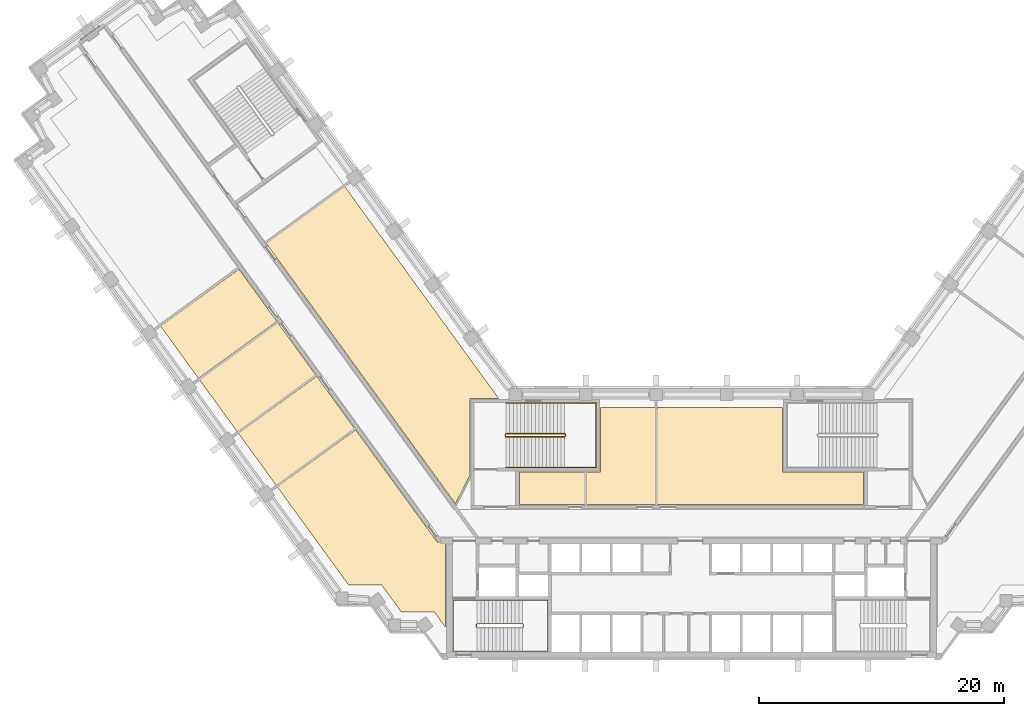
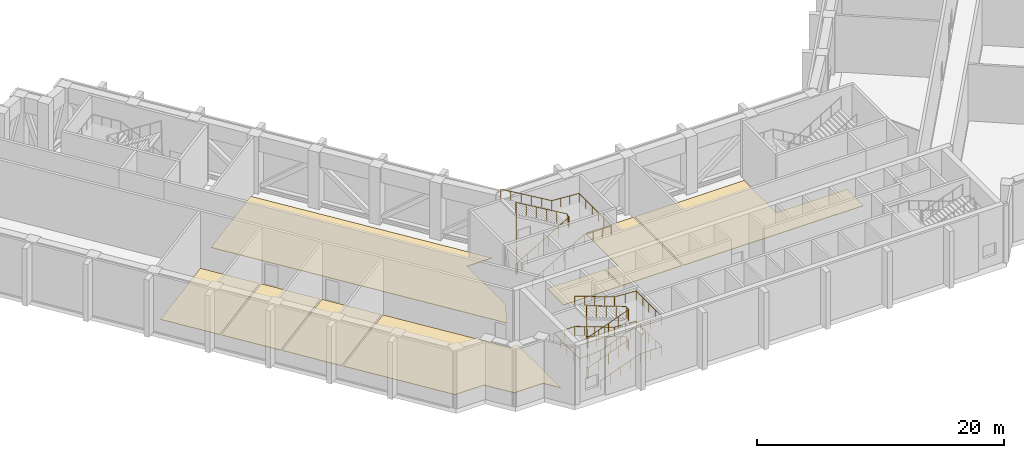
# One storey, part 17 of 19: 8 coverings, 4 railings.
"""IFC4 building model written with IfcOpenShell, lengths in metres."""

from ifc_helpers import new_model, si_unit, direction, frame, origin, origin_2d, place, context, subcontext, project, spatial, polyline, circle, outline, extrude, material, layer, layer_set, type_object, element, save


model = new_model("IFC4")

# Units and contexts
model_context = context("Model", 3, precision=1e-05, world=origin(), true_north=direction((0.0, 1.0)))
body_context = subcontext(model_context, "Body", "Model", "MODEL_VIEW")
ifc_project = project(units=[si_unit("LENGTHUNIT", "METRE"), si_unit("AREAUNIT", "SQUARE_METRE"), si_unit("VOLUMEUNIT", "CUBIC_METRE"), si_unit("PLANEANGLEUNIT", "RADIAN"), si_unit("MASSUNIT", "GRAM", prefix="KILO")], contexts=[model_context])

# Site, building, storey
site_placement = place(None, origin())
site = spatial("IfcSite", under=ifc_project, at=site_placement, CompositionType="ELEMENT")
building_placement = place(site_placement, origin())
building = spatial("IfcBuilding", under=site, at=building_placement, Name="Quipu Civic Tower", CompositionType="ELEMENT")
storey_placement = place(building_placement, frame((0.0, 0.0, 25.0)))
storey = spatial("IfcBuildingStorey", under=building, at=storey_placement, Name="L05", CompositionType="ELEMENT", Elevation=25.0)

# Coverings
ifc_material_1 = material(Name="Sealed cement screed")
ifc_layer = layer(ifc_material_1, 0.050048828125)
ifc_layer_set = layer_set([ifc_layer], Name="Sealed cement screed")
covering_type = type_object("IfcCoveringType", Name="Sealed screed floor finish 50", PredefinedType="FLOORING", material=ifc_layer_set)
covering_1_placement = place(storey_placement, origin())
element("IfcCovering", 1, at=covering_1_placement, inside=storey, type_object=covering_type, Name="Sealed screed floor finish 50", PredefinedType="FLOORING", context=body_context, shape_type="SweptSolid", body=[
    extrude(outline(polyline([(-34.719970703125, 22.845947265625), (-28.320068359375, 27.4951171875), (-15.73193359375, 10.169921875), (-18.070068359375, 10.1689453125), (-18.070068359375, 3.94189453125), (-19.27197265625, 1.583984375), (-34.719970703125, 22.845947265625)])), origin(), (0.0, 0.0, 1.0), 0.050048828125),
])
covering_2_placement = place(storey_placement, origin())
element("IfcCovering", 2, at=covering_2_placement, inside=storey, type_object=covering_type, Name="Sealed screed floor finish 50", PredefinedType="FLOORING", context=body_context, shape_type="SweptSolid", body=[
    extrude(outline(polyline([(-8.56689453125, 1.52001953125), (-8.56689453125, 4.179931640625), (-7.429931640625, 4.181884765625), (-7.429931640625, 9.429931640625), (-2.948974609375, 9.429931640625), (-2.948974609375, 1.52001953125), (-8.56689453125, 1.52001953125)])), origin(), (0.0, 0.0, 1.0), 0.050048828125),
])
covering_3_placement = place(storey_placement, origin())
element("IfcCovering", 3, at=covering_3_placement, inside=storey, type_object=covering_type, Name="Sealed screed floor finish 50", PredefinedType="FLOORING", context=body_context, shape_type="SweptSolid", body=[
    extrude(outline(polyline([(-40.1630859375, 11.7099609375), (-33.763916015625, 16.35888671875), (-30.673095703125, 12.10302734375), (-37.072021484375, 7.4541015625), (-40.1630859375, 11.7099609375)])), origin(), (0.0, 0.0, 1.0), 0.050048828125),
])
covering_4_placement = place(storey_placement, origin())
element("IfcCovering", 4, at=covering_4_placement, inside=storey, type_object=covering_type, Name="Sealed screed floor finish 50", PredefinedType="FLOORING", context=body_context, shape_type="SweptSolid", body=[
    extrude(outline(polyline([(-2.80908203125, 1.52001953125), (-2.80908203125, 9.429931640625), (7.429931640625, 9.429931640625), (7.430908203125, 4.179931640625), (14.030029296875, 4.179931640625), (14.030029296875, 1.52001953125), (-2.80908203125, 1.52001953125)])), origin(), (0.0, 0.0, 1.0), 0.050048828125),
])
covering_5_placement = place(storey_placement, origin())
element("IfcCovering", 5, at=covering_5_placement, inside=storey, type_object=covering_type, Name="Sealed screed floor finish 50", PredefinedType="FLOORING", context=body_context, shape_type="SweptSolid", body=[
    extrude(outline(polyline([(-36.989013671875, 7.341064453125), (-30.590087890625, 11.989990234375), (-27.4990234375, 7.73388671875), (-33.89794921875, 3.0859375), (-36.989013671875, 7.341064453125)])), origin(), (0.0, 0.0, 1.0), 0.050048828125),
])
covering_6_placement = place(storey_placement, origin())
element("IfcCovering", 6, at=covering_6_placement, inside=storey, type_object=covering_type, Name="Sealed screed floor finish 50", PredefinedType="FLOORING", context=body_context, shape_type="SweptSolid", body=[
    extrude(outline(polyline([(-14.030029296875, 1.52001953125), (-14.030029296875, 4.179931640625), (-8.70703125, 4.179931640625), (-8.70703125, 1.52001953125), (-14.030029296875, 1.52001953125)])), origin(), (0.0, 0.0, 1.0), 0.050048828125),
])
covering_7_placement = place(storey_placement, origin())
element("IfcCovering", 7, at=covering_7_placement, inside=storey, type_object=covering_type, Name="Sealed screed floor finish 50", PredefinedType="FLOORING", context=body_context, shape_type="SweptSolid", body=[
    extrude(outline(polyline([(-43.337890625, 16.0791015625), (-36.93798828125, 20.72802734375), (-33.846923828125, 16.471923828125), (-40.24609375, 11.822998046875), (-43.337890625, 16.0791015625)])), origin(), (0.0, 0.0, 1.0), 0.050048828125),
])
covering_8_placement = place(storey_placement, origin())
element("IfcCovering", 8, at=covering_8_placement, inside=storey, type_object=covering_type, Name="Sealed screed floor finish 50", PredefinedType="FLOORING", context=body_context, shape_type="SweptSolid", body=[
    extrude(outline(polyline([(-33.81494140625, 2.972900390625), (-27.416015625, 7.62109375), (-20.77490234375, -1.51904296875), (-20.070068359375, -1.52001953125), (-20.070068359375, -8.514892578125), (-20.991943359375, -7.24609375), (-23.69189453125, -7.24609375), (-25.279052734375, -5.06103515625), (-27.97900390625, -5.06103515625), (-33.81494140625, 2.972900390625)])), origin(), (0.0, 0.0, 1.0), 0.050048828125),
])

# Railings
ifc_material_2 = material(Name="Stainless steel", Category="steel")
railing_type_1 = type_object("IfcRailingType", Name="Stair guard 1100", PredefinedType="GUARDRAIL", material=ifc_material_2)
railing_1_placement = place(storey_placement, frame((-17.5, -8.550048828125, 0.115478515625)))
element("IfcRailing", 9, at=railing_1_placement, inside=storey, type_object=railing_type_1, Name="Stair 1 guard", PredefinedType="GUARDRAIL", context=body_context, shape_type="SweptSolid", body=[
    extrude(circle(Radius=0.02392578125, at=origin_2d()), frame((0.0, 0.0, 1.076171875), z_axis=(0.937193329374, 0.0, 0.348810354458), x_axis=(0.0, 1.0, 0.0)), (0.0, 0.0, 1.0), 3.96923828125),
    extrude(circle(Radius=0.02392578125, at=origin_2d()), frame((3.719970703125, 0.0, 2.46044921875), z_axis=(0.707106781187, 0.707106781187, 0.0), x_axis=(-0.707106781187, 0.707106781187, 0.0)), (0.0, 0.0, 1.0), 0.07080078125),
    extrude(circle(Radius=0.02392578125, at=origin_2d()), frame((3.77001953125, 0.050048828125, 2.46044921875), z_axis=(0.0, 1.0, 0.0), x_axis=(-1.0, 0.0, 0.0)), (0.0, 0.0, 1.0), 0.25),
    extrude(circle(Radius=0.02392578125, at=origin_2d()), frame((3.77001953125, 0.300048828125, 2.46044921875), z_axis=(-0.3695169537, 0.3695169537, 0.852592776099), x_axis=(-0.707106781187, -0.707106781187, 0.0)), (0.0, 0.0, 1.0), 0.135498046875),
    extrude(circle(Radius=0.02392578125, at=origin_2d()), frame((3.719970703125, 0.35009765625, 2.576171875), z_axis=(-0.937193329374, 0.0, 0.348810354458), x_axis=(0.0, -1.0, 0.0)), (0.0, 0.0, 1.0), 3.96923828125),
    extrude(circle(Radius=0.02392578125, at=origin_2d()), frame((0.0, 0.35009765625, 3.96044921875), z_axis=(-0.164529134168, -0.986372223864, 0.0), x_axis=(0.986372223864, -0.164529134168, 0.0)), (0.0, 0.0, 1.0), 0.30419921875),
    extrude(circle(Radius=0.02392578125, at=origin_2d()), frame((-0.050048828125, 0.050048828125, 3.96044921875), z_axis=(0.0, 1.0, 0.0), x_axis=(-1.0, 0.0, 0.0)), (0.0, 0.0, 1.0), 0.25),
    extrude(circle(Radius=0.02392578125, at=origin_2d()), frame((-0.050048828125, 0.300048828125, 3.96044921875), z_axis=(0.153818488509, -0.922160596963, 0.354908024706), x_axis=(0.986372223864, 0.164529134168, 0.0)), (0.0, 0.0, 1.0), 0.325439453125),
    extrude(circle(Radius=0.02392578125, at=origin_2d()), frame((0.0, 0.0, 4.076171875), z_axis=(0.937193329374, 0.0, 0.348810354458), x_axis=(0.0, 1.0, 0.0)), (0.0, 0.0, 1.0), 3.96923828125),
    extrude(circle(Radius=0.02392578125, at=origin_2d()), frame((3.719970703125, 0.0, 5.46044921875), z_axis=(0.707106781187, 0.707106781187, 0.0), x_axis=(-0.707106781187, 0.707106781187, 0.0)), (0.0, 0.0, 1.0), 0.07080078125),
    extrude(circle(Radius=0.02392578125, at=origin_2d()), frame((3.77001953125, 0.050048828125, 5.46044921875), z_axis=(0.0, 1.0, 0.0), x_axis=(-1.0, 0.0, 0.0)), (0.0, 0.0, 1.0), 0.25),
    extrude(circle(Radius=0.02392578125, at=origin_2d()), frame((3.77001953125, 0.300048828125, 5.46044921875), z_axis=(-0.3695169537, 0.3695169537, 0.852592776099), x_axis=(-0.707106781187, -0.707106781187, 0.0)), (0.0, 0.0, 1.0), 0.135498046875),
    extrude(circle(Radius=0.02392578125, at=origin_2d()), frame((3.719970703125, 0.35009765625, 5.576171875), z_axis=(-0.937193329374, 0.0, 0.348810354458), x_axis=(0.0, -1.0, 0.0)), (0.0, 0.0, 1.0), 3.96923828125),
    extrude(circle(Radius=0.02392578125, at=origin_2d()), frame((0.0, 0.35009765625, 6.96044921875), z_axis=(-0.008330771543, -0.049943991347, -0.998717275296), x_axis=(0.986372223864, -0.164529134168, 0.0)), (0.0, 0.0, 1.0), 6.0078125),
    extrude(circle(Radius=0.02392578125, at=origin_2d()), frame((-0.050048828125, 0.050048828125, 0.96044921875), z_axis=(0.0, 1.0, 0.0), x_axis=(-1.0, 0.0, 0.0)), (0.0, 0.0, 1.0), 0.25),
    extrude(circle(Radius=0.02099609375, at=origin_2d()), origin(), (0.0, 0.0, 1.0), 1.052001953125),
    extrude(circle(Radius=0.02099609375, at=origin_2d()), frame((0.929931640625, 0.0, 0.34619140625)), (0.0, 0.0, 1.0), 1.052001953125),
    extrude(circle(Radius=0.02099609375, at=origin_2d()), frame((1.85986328125, 0.0, 0.6923828125)), (0.0, 0.0, 1.0), 1.052001953125),
    extrude(circle(Radius=0.02099609375, at=origin_2d()), frame((2.7900390625, 0.0, 1.038330078125)), (0.0, 0.0, 1.0), 1.052001953125),
    extrude(circle(Radius=0.02099609375, at=origin_2d()), frame((3.719970703125, 0.0, 1.384521484375)), (0.0, 0.0, 1.0), 1.052001953125),
    extrude(circle(Radius=0.02099609375, at=origin_2d()), frame((3.77001953125, 0.050048828125, 1.384521484375)), (0.0, 0.0, 1.0), 1.052001953125),
    extrude(circle(Radius=0.02099609375, at=origin_2d()), frame((3.77001953125, 0.300048828125, 1.384521484375)), (0.0, 0.0, 1.0), 1.052001953125),
    extrude(circle(Radius=0.02099609375, at=origin_2d()), frame((3.719970703125, 0.35009765625, 1.5)), (0.0, 0.0, 1.0), 1.052001953125),
    extrude(circle(Radius=0.02099609375, at=origin_2d()), frame((2.7900390625, 0.35009765625, 1.84619140625)), (0.0, 0.0, 1.0), 1.052001953125),
    extrude(circle(Radius=0.02099609375, at=origin_2d()), frame((1.85986328125, 0.35009765625, 2.1923828125)), (0.0, 0.0, 1.0), 1.052001953125),
    extrude(circle(Radius=0.02099609375, at=origin_2d()), frame((0.929931640625, 0.35009765625, 2.538330078125)), (0.0, 0.0, 1.0), 1.052001953125),
    extrude(circle(Radius=0.02099609375, at=origin_2d()), frame((0.0, 0.35009765625, 2.884521484375)), (0.0, 0.0, 1.0), 1.052001953125),
    extrude(circle(Radius=0.02099609375, at=origin_2d()), frame((-0.050048828125, 0.050048828125, 2.884521484375)), (0.0, 0.0, 1.0), 1.052001953125),
    extrude(circle(Radius=0.02099609375, at=origin_2d()), frame((-0.050048828125, 0.300048828125, 2.884521484375)), (0.0, 0.0, 1.0), 1.052001953125),
    extrude(circle(Radius=0.02099609375, at=origin_2d()), frame((0.0, 0.0, 3.0)), (0.0, 0.0, 1.0), 1.052001953125),
    extrude(circle(Radius=0.02099609375, at=origin_2d()), frame((0.929931640625, 0.0, 3.34619140625)), (0.0, 0.0, 1.0), 1.052001953125),
    extrude(circle(Radius=0.02099609375, at=origin_2d()), frame((1.85986328125, 0.0, 3.6923828125)), (0.0, 0.0, 1.0), 1.052001953125),
    extrude(circle(Radius=0.02099609375, at=origin_2d()), frame((2.7900390625, 0.0, 4.038330078125)), (0.0, 0.0, 1.0), 1.052001953125),
    extrude(circle(Radius=0.02099609375, at=origin_2d()), frame((3.719970703125, 0.0, 4.384521484375)), (0.0, 0.0, 1.0), 1.052001953125),
    extrude(circle(Radius=0.02099609375, at=origin_2d()), frame((3.77001953125, 0.050048828125, 4.384521484375)), (0.0, 0.0, 1.0), 1.052001953125),
    extrude(circle(Radius=0.02099609375, at=origin_2d()), frame((3.77001953125, 0.300048828125, 4.384521484375)), (0.0, 0.0, 1.0), 1.052001953125),
    extrude(circle(Radius=0.02099609375, at=origin_2d()), frame((3.719970703125, 0.35009765625, 4.5)), (0.0, 0.0, 1.0), 1.052001953125),
    extrude(circle(Radius=0.02099609375, at=origin_2d()), frame((2.7900390625, 0.35009765625, 4.84619140625)), (0.0, 0.0, 1.0), 1.052001953125),
    extrude(circle(Radius=0.02099609375, at=origin_2d()), frame((1.85986328125, 0.35009765625, 5.1923828125)), (0.0, 0.0, 1.0), 1.052001953125),
    extrude(circle(Radius=0.02099609375, at=origin_2d()), frame((0.929931640625, 0.35009765625, 5.538330078125)), (0.0, 0.0, 1.0), 1.052001953125),
    extrude(circle(Radius=0.02099609375, at=origin_2d()), frame((0.0, 0.35009765625, 5.884521484375)), (0.0, 0.0, 1.0), 1.052001953125),
    extrude(circle(Radius=0.02099609375, at=origin_2d()), frame((-0.00830078125, 0.300048828125, 4.884521484375)), (0.0, 0.0, 1.0), 1.052001953125),
    extrude(circle(Radius=0.02099609375, at=origin_2d()), frame((-0.0166015625, 0.25, 3.884521484375)), (0.0, 0.0, 1.0), 1.052001953125),
    extrude(circle(Radius=0.02099609375, at=origin_2d()), frame((-0.02490234375, 0.2001953125, 2.884521484375)), (0.0, 0.0, 1.0), 1.052001953125),
    extrude(circle(Radius=0.02099609375, at=origin_2d()), frame((-0.033447265625, 0.150146484375, 1.884521484375)), (0.0, 0.0, 1.0), 1.052001953125),
    extrude(circle(Radius=0.02099609375, at=origin_2d()), frame((-0.041748046875, 0.10009765625, 0.884521484375)), (0.0, 0.0, 1.0), 1.052001953125),
    extrude(circle(Radius=0.02099609375, at=origin_2d()), frame((-0.050048828125, 0.050048828125, -0.115478515625)), (0.0, 0.0, 1.0), 1.052001953125),
    extrude(circle(Radius=0.02099609375, at=origin_2d()), frame((-0.050048828125, 0.300048828125, -0.115478515625)), (0.0, 0.0, 1.0), 1.052001953125),
])
railing_2_placement = place(storey_placement, frame((-15.14990234375, 7.050048828125, 0.176513671875)))
element("IfcRailing", 10, at=railing_2_placement, inside=storey, type_object=railing_type_1, Name="Stair 3 guard", PredefinedType="GUARDRAIL", context=body_context, shape_type="SweptSolid", body=[
    extrude(circle(Radius=0.02392578125, at=origin_2d()), frame((0.0, 0.0, 1.076171875), z_axis=(0.86192857992, 0.0, 0.507029706346), x_axis=(0.0, 1.0, 0.0)), (0.0, 0.0, 1.0), 5.568603515625),
    extrude(circle(Radius=0.02392578125, at=origin_2d()), frame((4.7998046875, 0.0, 3.8994140625), z_axis=(0.707106781187, 0.707106781187, 0.0), x_axis=(-0.707106781187, 0.707106781187, 0.0)), (0.0, 0.0, 1.0), 0.07080078125),
    extrude(circle(Radius=0.02392578125, at=origin_2d()), frame((4.849853515625, 0.050048828125, 3.8994140625), z_axis=(0.0, 1.0, 0.0), x_axis=(-1.0, 0.0, 0.0)), (0.0, 0.0, 1.0), 0.14990234375),
    extrude(circle(Radius=0.02392578125, at=origin_2d()), frame((4.849853515625, 0.199951171875, 3.8994140625), z_axis=(-0.263171338983, 0.263171338983, 0.928160380902), x_axis=(-0.707106781187, -0.707106781187, 0.0)), (0.0, 0.0, 1.0), 0.190185546875),
    extrude(circle(Radius=0.02392578125, at=origin_2d()), frame((4.7998046875, 0.25, 4.076171875), z_axis=(-0.86192857992, 0.0, 0.507029706346), x_axis=(0.0, -1.0, 0.0)), (0.0, 0.0, 1.0), 5.568603515625),
    extrude(circle(Radius=0.02392578125, at=origin_2d()), frame((0.0, 0.25, 6.8994140625), z_axis=(-0.008336553618, -0.033305548356, -0.999410447375), x_axis=(0.970072785993, -0.242814311512, 0.0)), (0.0, 0.0, 1.0), 6.00341796875),
    extrude(circle(Radius=0.02392578125, at=origin_2d()), frame((-0.050048828125, 0.050048828125, 0.8994140625), z_axis=(0.0, 1.0, 0.0), x_axis=(-1.0, 0.0, 0.0)), (0.0, 0.0, 1.0), 0.14990234375),
    extrude(circle(Radius=0.02099609375, at=origin_2d()), origin(), (0.0, 0.0, 1.0), 1.052001953125),
    extrude(circle(Radius=0.02099609375, at=origin_2d()), frame((0.9599609375, 0.0, 0.564697265625)), (0.0, 0.0, 1.0), 1.052001953125),
    extrude(circle(Radius=0.02099609375, at=origin_2d()), frame((1.919921875, 0.0, 1.12939453125)), (0.0, 0.0, 1.0), 1.052001953125),
    extrude(circle(Radius=0.02099609375, at=origin_2d()), frame((2.8798828125, 0.0, 1.694091796875)), (0.0, 0.0, 1.0), 1.052001953125),
    extrude(circle(Radius=0.02099609375, at=origin_2d()), frame((3.83984375, 0.0, 2.2587890625)), (0.0, 0.0, 1.0), 1.052001953125),
    extrude(circle(Radius=0.02099609375, at=origin_2d()), frame((4.7998046875, 0.0, 2.823486328125)), (0.0, 0.0, 1.0), 1.052001953125),
    extrude(circle(Radius=0.02099609375, at=origin_2d()), frame((4.849853515625, 0.050048828125, 2.823486328125)), (0.0, 0.0, 1.0), 1.052001953125),
    extrude(circle(Radius=0.02099609375, at=origin_2d()), frame((4.849853515625, 0.199951171875, 2.823486328125)), (0.0, 0.0, 1.0), 1.052001953125),
    extrude(circle(Radius=0.02099609375, at=origin_2d()), frame((4.7998046875, 0.25, 3.0)), (0.0, 0.0, 1.0), 1.052001953125),
    extrude(circle(Radius=0.02099609375, at=origin_2d()), frame((3.83984375, 0.25, 3.564697265625)), (0.0, 0.0, 1.0), 1.052001953125),
    extrude(circle(Radius=0.02099609375, at=origin_2d()), frame((2.8798828125, 0.25, 4.12939453125)), (0.0, 0.0, 1.0), 1.052001953125),
    extrude(circle(Radius=0.02099609375, at=origin_2d()), frame((1.919921875, 0.25, 4.694091796875)), (0.0, 0.0, 1.0), 1.052001953125),
    extrude(circle(Radius=0.02099609375, at=origin_2d()), frame((0.9599609375, 0.25, 5.2587890625)), (0.0, 0.0, 1.0), 1.052001953125),
    extrude(circle(Radius=0.02099609375, at=origin_2d()), frame((0.0, 0.25, 5.823486328125)), (0.0, 0.0, 1.0), 1.052001953125),
    extrude(circle(Radius=0.02099609375, at=origin_2d()), frame((-0.00830078125, 0.216796875, 4.823486328125)), (0.0, 0.0, 1.0), 1.052001953125),
    extrude(circle(Radius=0.02099609375, at=origin_2d()), frame((-0.0166015625, 0.183349609375, 3.823486328125)), (0.0, 0.0, 1.0), 1.052001953125),
    extrude(circle(Radius=0.02099609375, at=origin_2d()), frame((-0.02490234375, 0.14990234375, 2.823486328125)), (0.0, 0.0, 1.0), 1.052001953125),
    extrude(circle(Radius=0.02099609375, at=origin_2d()), frame((-0.033447265625, 0.11669921875, 1.823486328125)), (0.0, 0.0, 1.0), 1.052001953125),
    extrude(circle(Radius=0.02099609375, at=origin_2d()), frame((-0.041748046875, 0.08349609375, 0.823486328125)), (0.0, 0.0, 1.0), 1.052001953125),
    extrude(circle(Radius=0.02099609375, at=origin_2d()), frame((-0.050048828125, 0.050048828125, -0.176513671875)), (0.0, 0.0, 1.0), 1.052001953125),
    extrude(circle(Radius=0.02099609375, at=origin_2d()), frame((-0.050048828125, 0.199951171875, -0.176513671875)), (0.0, 0.0, 1.0), 1.052001953125),
])
ifc_material_3 = material(Name="Stainless steel", Category="steel")
railing_type_2 = type_object("IfcRailingType", Name="Stair handrail", PredefinedType="HANDRAIL", material=ifc_material_3)
railing_3_placement = place(storey_placement, frame((-17.5, -10.449951171875, 0.115478515625)))
element("IfcRailing", 11, at=railing_3_placement, inside=storey, type_object=railing_type_2, Name="Stair 1 handrail", PredefinedType="HANDRAIL", context=body_context, shape_type="SweptSolid", body=[
    extrude(circle(Radius=0.02392578125, at=origin_2d()), frame((0.0, 0.0, 0.8759765625), z_axis=(0.937193329374, 0.0, 0.348810354458), x_axis=(0.0, 1.0, 0.0)), (0.0, 0.0, 1.0), 3.96923828125),
    extrude(circle(Radius=0.02392578125, at=origin_2d()), frame((3.719970703125, 0.0, 2.26025390625), z_axis=(1.0, 0.0, 0.0), x_axis=(0.0, 1.0, 0.0)), (0.0, 0.0, 1.0), 2.030029296875),
    extrude(circle(Radius=0.02392578125, at=origin_2d()), frame((5.75, 0.0, 2.26025390625), z_axis=(0.0, 1.0, 0.0), x_axis=(-1.0, 0.0, 0.0)), (0.0, 0.0, 1.0), 4.14990234375),
    extrude(circle(Radius=0.02392578125, at=origin_2d()), frame((5.75, 4.14990234375, 2.26025390625), z_axis=(-0.99838595614, 0.0, 0.056793332201), x_axis=(0.0, -1.0, 0.0)), (0.0, 0.0, 1.0), 2.033203125),
    extrude(circle(Radius=0.02392578125, at=origin_2d()), frame((3.719970703125, 4.14990234375, 2.3759765625), z_axis=(-0.937193329374, 0.0, 0.348810354458), x_axis=(0.0, -1.0, 0.0)), (0.0, 0.0, 1.0), 3.96923828125),
    extrude(circle(Radius=0.02392578125, at=origin_2d()), frame((0.0, 4.14990234375, 3.76025390625), z_axis=(-1.0, 0.0, 0.0), x_axis=(0.0, -1.0, 0.0)), (0.0, 0.0, 1.0), 1.949951171875),
    extrude(circle(Radius=0.02392578125, at=origin_2d()), frame((-1.949951171875, 4.14990234375, 3.76025390625), z_axis=(0.0, -1.0, 0.0), x_axis=(1.0, 0.0, 0.0)), (0.0, 0.0, 1.0), 4.14990234375),
    extrude(circle(Radius=0.02392578125, at=origin_2d()), frame((-1.949951171875, 0.0, 3.76025390625), z_axis=(0.998251021802, 0.0, 0.059117657858), x_axis=(0.0, 1.0, 0.0)), (0.0, 0.0, 1.0), 1.953369140625),
    extrude(circle(Radius=0.02392578125, at=origin_2d()), frame((0.0, 0.0, 3.8759765625), z_axis=(0.937193329374, 0.0, 0.348810354458), x_axis=(0.0, 1.0, 0.0)), (0.0, 0.0, 1.0), 3.96923828125),
    extrude(circle(Radius=0.02392578125, at=origin_2d()), frame((3.719970703125, 0.0, 5.26025390625), z_axis=(1.0, 0.0, 0.0), x_axis=(0.0, 1.0, 0.0)), (0.0, 0.0, 1.0), 2.030029296875),
    extrude(circle(Radius=0.02392578125, at=origin_2d()), frame((5.75, 0.0, 5.26025390625), z_axis=(0.0, 1.0, 0.0), x_axis=(-1.0, 0.0, 0.0)), (0.0, 0.0, 1.0), 4.14990234375),
    extrude(circle(Radius=0.02392578125, at=origin_2d()), frame((5.75, 4.14990234375, 5.26025390625), z_axis=(-0.99838595614, 0.0, 0.056793332201), x_axis=(0.0, -1.0, 0.0)), (0.0, 0.0, 1.0), 2.033203125),
    extrude(circle(Radius=0.02392578125, at=origin_2d()), frame((3.719970703125, 4.14990234375, 5.3759765625), z_axis=(-0.937193329374, 0.0, 0.348810354458), x_axis=(0.0, -1.0, 0.0)), (0.0, 0.0, 1.0), 3.96923828125),
    extrude(circle(Radius=0.02099609375, at=origin_2d()), origin(), (0.0, 0.0, 1.0), 0.851806640625),
    extrude(circle(Radius=0.02099609375, at=origin_2d()), frame((0.929931640625, 0.0, 0.34619140625)), (0.0, 0.0, 1.0), 0.851806640625),
    extrude(circle(Radius=0.02099609375, at=origin_2d()), frame((1.85986328125, 0.0, 0.6923828125)), (0.0, 0.0, 1.0), 0.851806640625),
    extrude(circle(Radius=0.02099609375, at=origin_2d()), frame((2.7900390625, 0.0, 1.038330078125)), (0.0, 0.0, 1.0), 0.851806640625),
    extrude(circle(Radius=0.02099609375, at=origin_2d()), frame((3.719970703125, 0.0, 1.384521484375)), (0.0, 0.0, 1.0), 0.851806640625),
    extrude(circle(Radius=0.02099609375, at=origin_2d()), frame((4.73486328125, 0.0, 1.384521484375)), (0.0, 0.0, 1.0), 0.851806640625),
    extrude(circle(Radius=0.02099609375, at=origin_2d()), frame((5.75, 0.0, 1.384521484375)), (0.0, 0.0, 1.0), 0.851806640625),
    extrude(circle(Radius=0.02099609375, at=origin_2d()), frame((5.75, 1.03759765625, 1.384521484375)), (0.0, 0.0, 1.0), 0.851806640625),
    extrude(circle(Radius=0.02099609375, at=origin_2d()), frame((5.75, 2.074951171875, 1.384521484375)), (0.0, 0.0, 1.0), 0.851806640625),
    extrude(circle(Radius=0.02099609375, at=origin_2d()), frame((5.75, 3.1123046875, 1.384521484375)), (0.0, 0.0, 1.0), 0.851806640625),
    extrude(circle(Radius=0.02099609375, at=origin_2d()), frame((5.75, 4.14990234375, 1.384521484375)), (0.0, 0.0, 1.0), 0.851806640625),
    extrude(circle(Radius=0.02099609375, at=origin_2d()), frame((4.73486328125, 4.14990234375, 1.4423828125)), (0.0, 0.0, 1.0), 0.851806640625),
    extrude(circle(Radius=0.02099609375, at=origin_2d()), frame((3.719970703125, 4.14990234375, 1.5)), (0.0, 0.0, 1.0), 0.851806640625),
    extrude(circle(Radius=0.02099609375, at=origin_2d()), frame((2.7900390625, 4.14990234375, 1.84619140625)), (0.0, 0.0, 1.0), 0.851806640625),
    extrude(circle(Radius=0.02099609375, at=origin_2d()), frame((1.85986328125, 4.14990234375, 2.1923828125)), (0.0, 0.0, 1.0), 0.851806640625),
    extrude(circle(Radius=0.02099609375, at=origin_2d()), frame((0.929931640625, 4.14990234375, 2.538330078125)), (0.0, 0.0, 1.0), 0.851806640625),
    extrude(circle(Radius=0.02099609375, at=origin_2d()), frame((0.0, 4.14990234375, 2.884521484375)), (0.0, 0.0, 1.0), 0.851806640625),
    extrude(circle(Radius=0.02099609375, at=origin_2d()), frame((-0.97509765625, 4.14990234375, 2.884521484375)), (0.0, 0.0, 1.0), 0.851806640625),
    extrude(circle(Radius=0.02099609375, at=origin_2d()), frame((-1.949951171875, 4.14990234375, 2.884521484375)), (0.0, 0.0, 1.0), 0.851806640625),
    extrude(circle(Radius=0.02099609375, at=origin_2d()), frame((-1.949951171875, 3.1123046875, 2.884521484375)), (0.0, 0.0, 1.0), 0.851806640625),
    extrude(circle(Radius=0.02099609375, at=origin_2d()), frame((-1.949951171875, 2.074951171875, 2.884521484375)), (0.0, 0.0, 1.0), 0.851806640625),
    extrude(circle(Radius=0.02099609375, at=origin_2d()), frame((-1.949951171875, 1.03759765625, 2.884521484375)), (0.0, 0.0, 1.0), 0.851806640625),
    extrude(circle(Radius=0.02099609375, at=origin_2d()), frame((-1.949951171875, 0.0, 2.884521484375)), (0.0, 0.0, 1.0), 0.851806640625),
    extrude(circle(Radius=0.02099609375, at=origin_2d()), frame((-0.97509765625, 0.0, 2.9423828125)), (0.0, 0.0, 1.0), 0.851806640625),
    extrude(circle(Radius=0.02099609375, at=origin_2d()), frame((0.0, 0.0, 3.0)), (0.0, 0.0, 1.0), 0.851806640625),
    extrude(circle(Radius=0.02099609375, at=origin_2d()), frame((0.929931640625, 0.0, 3.34619140625)), (0.0, 0.0, 1.0), 0.851806640625),
    extrude(circle(Radius=0.02099609375, at=origin_2d()), frame((1.85986328125, 0.0, 3.6923828125)), (0.0, 0.0, 1.0), 0.851806640625),
    extrude(circle(Radius=0.02099609375, at=origin_2d()), frame((2.7900390625, 0.0, 4.038330078125)), (0.0, 0.0, 1.0), 0.851806640625),
    extrude(circle(Radius=0.02099609375, at=origin_2d()), frame((3.719970703125, 0.0, 4.384521484375)), (0.0, 0.0, 1.0), 0.851806640625),
    extrude(circle(Radius=0.02099609375, at=origin_2d()), frame((4.73486328125, 0.0, 4.384521484375)), (0.0, 0.0, 1.0), 0.851806640625),
    extrude(circle(Radius=0.02099609375, at=origin_2d()), frame((5.75, 0.0, 4.384521484375)), (0.0, 0.0, 1.0), 0.851806640625),
    extrude(circle(Radius=0.02099609375, at=origin_2d()), frame((5.75, 1.03759765625, 4.384521484375)), (0.0, 0.0, 1.0), 0.851806640625),
    extrude(circle(Radius=0.02099609375, at=origin_2d()), frame((5.75, 2.074951171875, 4.384521484375)), (0.0, 0.0, 1.0), 0.851806640625),
    extrude(circle(Radius=0.02099609375, at=origin_2d()), frame((5.75, 3.1123046875, 4.384521484375)), (0.0, 0.0, 1.0), 0.851806640625),
    extrude(circle(Radius=0.02099609375, at=origin_2d()), frame((5.75, 4.14990234375, 4.384521484375)), (0.0, 0.0, 1.0), 0.851806640625),
    extrude(circle(Radius=0.02099609375, at=origin_2d()), frame((4.73486328125, 4.14990234375, 4.4423828125)), (0.0, 0.0, 1.0), 0.851806640625),
    extrude(circle(Radius=0.02099609375, at=origin_2d()), frame((3.719970703125, 4.14990234375, 4.5)), (0.0, 0.0, 1.0), 0.851806640625),
    extrude(circle(Radius=0.02099609375, at=origin_2d()), frame((2.7900390625, 4.14990234375, 4.84619140625)), (0.0, 0.0, 1.0), 0.851806640625),
    extrude(circle(Radius=0.02099609375, at=origin_2d()), frame((1.85986328125, 4.14990234375, 5.1923828125)), (0.0, 0.0, 1.0), 0.851806640625),
    extrude(circle(Radius=0.02099609375, at=origin_2d()), frame((0.929931640625, 4.14990234375, 5.538330078125)), (0.0, 0.0, 1.0), 0.851806640625),
    extrude(circle(Radius=0.02099609375, at=origin_2d()), frame((0.0, 4.14990234375, 5.884521484375)), (0.0, 0.0, 1.0), 0.851806640625),
])
railing_4_placement = place(storey_placement, frame((-15.14990234375, 4.550048828125, 0.176513671875)))
element("IfcRailing", 12, at=railing_4_placement, inside=storey, type_object=railing_type_2, Name="Stair 3 handrail", PredefinedType="HANDRAIL", context=body_context, shape_type="SweptSolid", body=[
    extrude(circle(Radius=0.02392578125, at=origin_2d()), frame((0.0, 0.0, 0.8759765625), z_axis=(0.86192857992, 0.0, 0.507029706346), x_axis=(0.0, 1.0, 0.0)), (0.0, 0.0, 1.0), 5.568603515625),
    extrude(circle(Radius=0.02392578125, at=origin_2d()), frame((4.7998046875, 0.0, 3.69921875), z_axis=(1.0, 0.0, 0.0), x_axis=(0.0, 1.0, 0.0)), (0.0, 0.0, 1.0), 2.550048828125),
    extrude(circle(Radius=0.02392578125, at=origin_2d()), frame((7.349853515625, 0.0, 3.69921875), z_axis=(0.0, 1.0, 0.0), x_axis=(-1.0, 0.0, 0.0)), (0.0, 0.0, 1.0), 5.25),
    extrude(circle(Radius=0.02392578125, at=origin_2d()), frame((7.349853515625, 5.25, 3.69921875), z_axis=(-0.997612889748, 0.0, 0.069054487246), x_axis=(0.0, -1.0, 0.0)), (0.0, 0.0, 1.0), 2.55615234375),
    extrude(circle(Radius=0.02392578125, at=origin_2d()), frame((4.7998046875, 5.25, 3.8759765625), z_axis=(-0.86192857992, 0.0, 0.507029706346), x_axis=(0.0, -1.0, 0.0)), (0.0, 0.0, 1.0), 5.568603515625),
    extrude(circle(Radius=0.02099609375, at=origin_2d()), origin(), (0.0, 0.0, 1.0), 0.851806640625),
    extrude(circle(Radius=0.02099609375, at=origin_2d()), frame((0.9599609375, 0.0, 0.564697265625)), (0.0, 0.0, 1.0), 0.851806640625),
    extrude(circle(Radius=0.02099609375, at=origin_2d()), frame((1.919921875, 0.0, 1.12939453125)), (0.0, 0.0, 1.0), 0.851806640625),
    extrude(circle(Radius=0.02099609375, at=origin_2d()), frame((2.8798828125, 0.0, 1.694091796875)), (0.0, 0.0, 1.0), 0.851806640625),
    extrude(circle(Radius=0.02099609375, at=origin_2d()), frame((3.83984375, 0.0, 2.2587890625)), (0.0, 0.0, 1.0), 0.851806640625),
    extrude(circle(Radius=0.02099609375, at=origin_2d()), frame((4.7998046875, 0.0, 2.823486328125)), (0.0, 0.0, 1.0), 0.851806640625),
    extrude(circle(Radius=0.02099609375, at=origin_2d()), frame((5.64990234375, 0.0, 2.823486328125)), (0.0, 0.0, 1.0), 0.851806640625),
    extrude(circle(Radius=0.02099609375, at=origin_2d()), frame((6.499755859375, 0.0, 2.823486328125)), (0.0, 0.0, 1.0), 0.851806640625),
    extrude(circle(Radius=0.02099609375, at=origin_2d()), frame((7.349853515625, 0.0, 2.823486328125)), (0.0, 0.0, 1.0), 0.851806640625),
    extrude(circle(Radius=0.02099609375, at=origin_2d()), frame((7.349853515625, 1.050048828125, 2.823486328125)), (0.0, 0.0, 1.0), 0.851806640625),
    extrude(circle(Radius=0.02099609375, at=origin_2d()), frame((7.349853515625, 2.10009765625, 2.823486328125)), (0.0, 0.0, 1.0), 0.851806640625),
    extrude(circle(Radius=0.02099609375, at=origin_2d()), frame((7.349853515625, 3.14990234375, 2.823486328125)), (0.0, 0.0, 1.0), 0.851806640625),
    extrude(circle(Radius=0.02099609375, at=origin_2d()), frame((7.349853515625, 4.199951171875, 2.823486328125)), (0.0, 0.0, 1.0), 0.851806640625),
    extrude(circle(Radius=0.02099609375, at=origin_2d()), frame((7.349853515625, 5.25, 2.823486328125)), (0.0, 0.0, 1.0), 0.851806640625),
    extrude(circle(Radius=0.02099609375, at=origin_2d()), frame((6.499755859375, 5.25, 2.88232421875)), (0.0, 0.0, 1.0), 0.851806640625),
    extrude(circle(Radius=0.02099609375, at=origin_2d()), frame((5.64990234375, 5.25, 2.941162109375)), (0.0, 0.0, 1.0), 0.851806640625),
    extrude(circle(Radius=0.02099609375, at=origin_2d()), frame((4.7998046875, 5.25, 3.0)), (0.0, 0.0, 1.0), 0.851806640625),
    extrude(circle(Radius=0.02099609375, at=origin_2d()), frame((3.83984375, 5.25, 3.564697265625)), (0.0, 0.0, 1.0), 0.851806640625),
    extrude(circle(Radius=0.02099609375, at=origin_2d()), frame((2.8798828125, 5.25, 4.12939453125)), (0.0, 0.0, 1.0), 0.851806640625),
    extrude(circle(Radius=0.02099609375, at=origin_2d()), frame((1.919921875, 5.25, 4.694091796875)), (0.0, 0.0, 1.0), 0.851806640625),
    extrude(circle(Radius=0.02099609375, at=origin_2d()), frame((0.9599609375, 5.25, 5.2587890625)), (0.0, 0.0, 1.0), 0.851806640625),
    extrude(circle(Radius=0.02099609375, at=origin_2d()), frame((0.0, 5.25, 5.823486328125)), (0.0, 0.0, 1.0), 0.851806640625),
])

save(model, "model.ifc")
